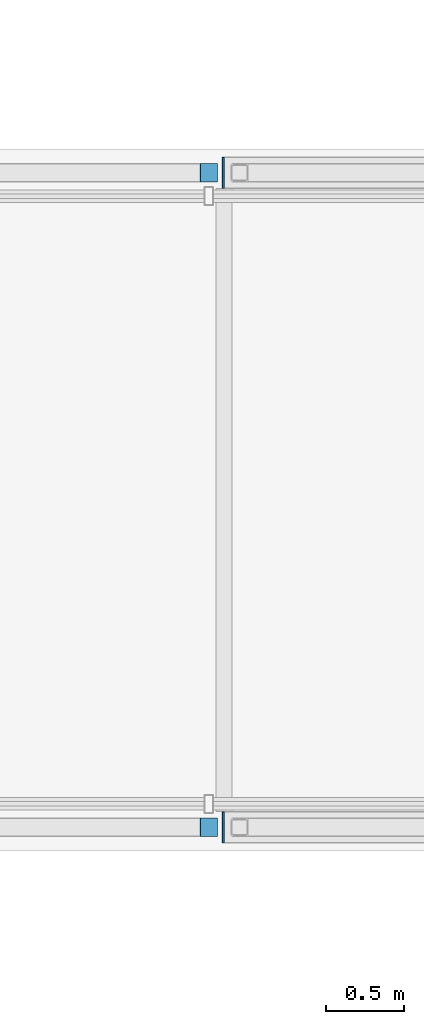
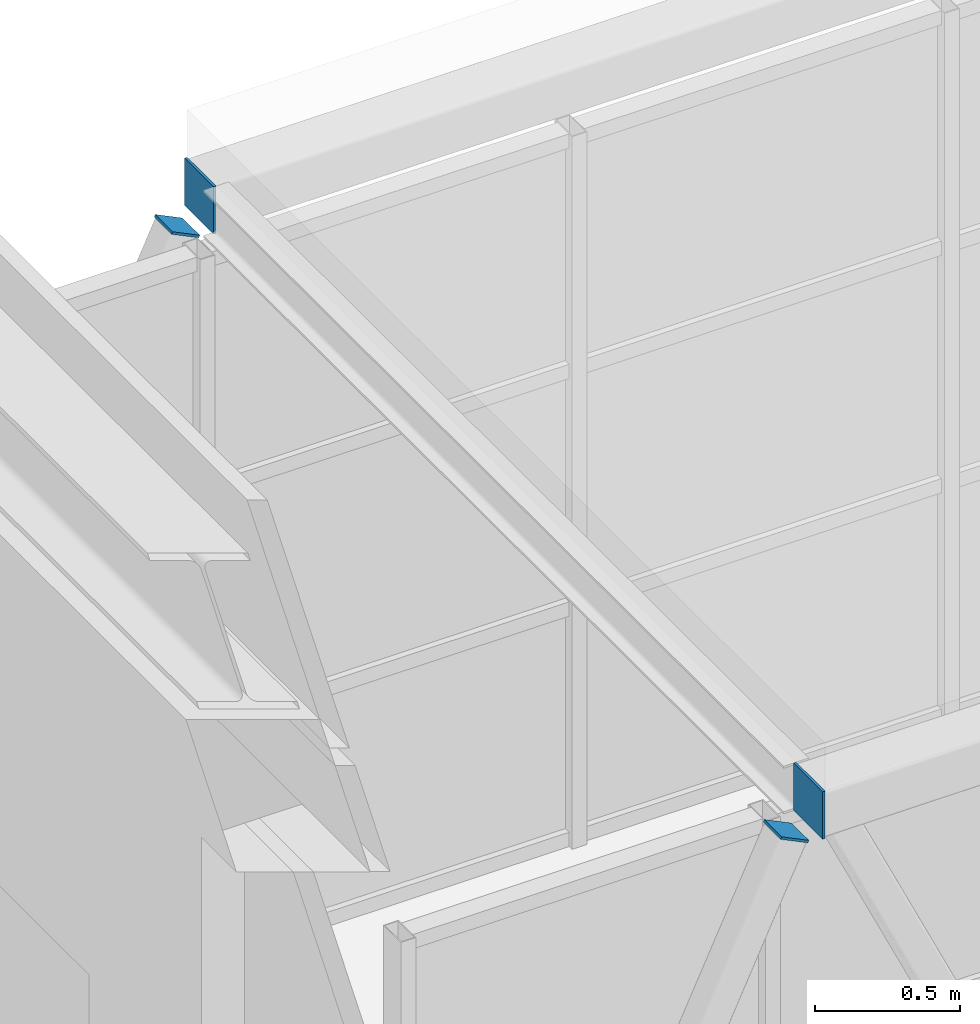
# One storey, part 116 of 149: 4 discrete accessories.
"""IFC4 building model written with IfcOpenShell, lengths in metres."""

from ifc_helpers import new_model, si_unit, direction, frame, origin, origin_2d, place, context, subcontext, project, spatial, rectangle, extrude, material, material_profile, profile_set, type_object, element, save


model = new_model("IFC4")

# Units and contexts
model_context = context("Model", 3, precision=1e-05, world=origin(), true_north=direction((0.0, 1.0)))
body_context = subcontext(model_context, "Body", "Model", "MODEL_VIEW")
ifc_project = project(units=[si_unit("LENGTHUNIT", "METRE"), si_unit("AREAUNIT", "SQUARE_METRE"), si_unit("VOLUMEUNIT", "CUBIC_METRE"), si_unit("PLANEANGLEUNIT", "RADIAN"), si_unit("MASSUNIT", "GRAM", prefix="KILO")], contexts=[model_context])

# Site, building, storey
site_placement = place(None, origin())
site = spatial("IfcSite", under=ifc_project, at=site_placement, CompositionType="ELEMENT")
building_placement = place(site_placement, origin())
building = spatial("IfcBuilding", under=site, at=building_placement, Name="Kallimachos Central Library", CompositionType="ELEMENT")
storey_placement = place(building_placement, frame((0.0, 0.0, 9.89990234375)))
storey = spatial("IfcBuildingStorey", under=building, at=storey_placement, Name="L02", CompositionType="ELEMENT", Elevation=9.89990234375)

# Discrete accessories
ifc_material_1 = material(Name="Steel S355J2", Category="steel")
ifc_material_profile_1 = material_profile(ifc_material_1, rectangle(XDim=0.1201171875, YDim=0.1201171875, at=origin_2d()), Name="End cap plate 10, 120x120")
ifc_profile_set_1 = profile_set([ifc_material_profile_1], Name="Steel S355J2")
discrete_accessory_type_1 = type_object("IfcDiscreteAccessoryType", Name="End cap plate 10, 120x120", PredefinedType="BRACKET", material=ifc_profile_set_1)
for number, where, z_axis, x_axis, name in (
    (1, (39.879638671875, 98.39990234375, 3.0), (0.437465718849, 0.0, 0.899235088746), (0.0, 1.0, 0.0), "End cap plate"),
    (2, (39.879638671875, 102.60009765625, 3.0), (0.437465718849, 0.0, 0.899235088746), (0.0, 1.0, 0.0), "End cap plate"),
):
    element("IfcDiscreteAccessory", number, at=place(storey_placement, frame(where, z_axis=z_axis, x_axis=x_axis)), inside=storey, type_object=discrete_accessory_type_1, Name=name, PredefinedType="BRACKET", context=body_context, shape_type="SweptSolid", body=[
        extrude(rectangle(XDim=0.1201171875, YDim=0.1201171875, at=origin_2d()), origin(), (0.0, 0.0, 1.0), 0.010009765625),
    ])
ifc_material_2 = material(Name="Steel S355J2", Category="steel")
ifc_material_profile_2 = material_profile(ifc_material_2, rectangle(XDim=0.199951171875, YDim=0.199951171875, at=origin_2d()), Name="End cap plate 10, 200x200")
ifc_profile_set_2 = profile_set([ifc_material_profile_2], Name="Steel S355J2")
discrete_accessory_type_2 = type_object("IfcDiscreteAccessoryType", Name="End cap plate 10, 200x200", PredefinedType="BRACKET", material=ifc_profile_set_2)
for number, where, z_axis, x_axis, name in (
    (3, (39.9697265625, 98.39990234375, 3.10009765625), (1.0, 0.0, 0.0), (0.0, 1.0, 0.0), "End cap plate"),
    (4, (39.9697265625, 102.60009765625, 3.10009765625), (1.0, 0.0, 0.0), (0.0, 1.0, 0.0), "End cap plate"),
):
    element("IfcDiscreteAccessory", number, at=place(storey_placement, frame(where, z_axis=z_axis, x_axis=x_axis)), inside=storey, type_object=discrete_accessory_type_2, Name=name, PredefinedType="BRACKET", context=body_context, shape_type="SweptSolid", body=[
        extrude(rectangle(XDim=0.199951171875, YDim=0.199951171875, at=origin_2d()), origin(), (0.0, 0.0, 1.0), 0.010009765625),
    ])

save(model, "model.ifc")
